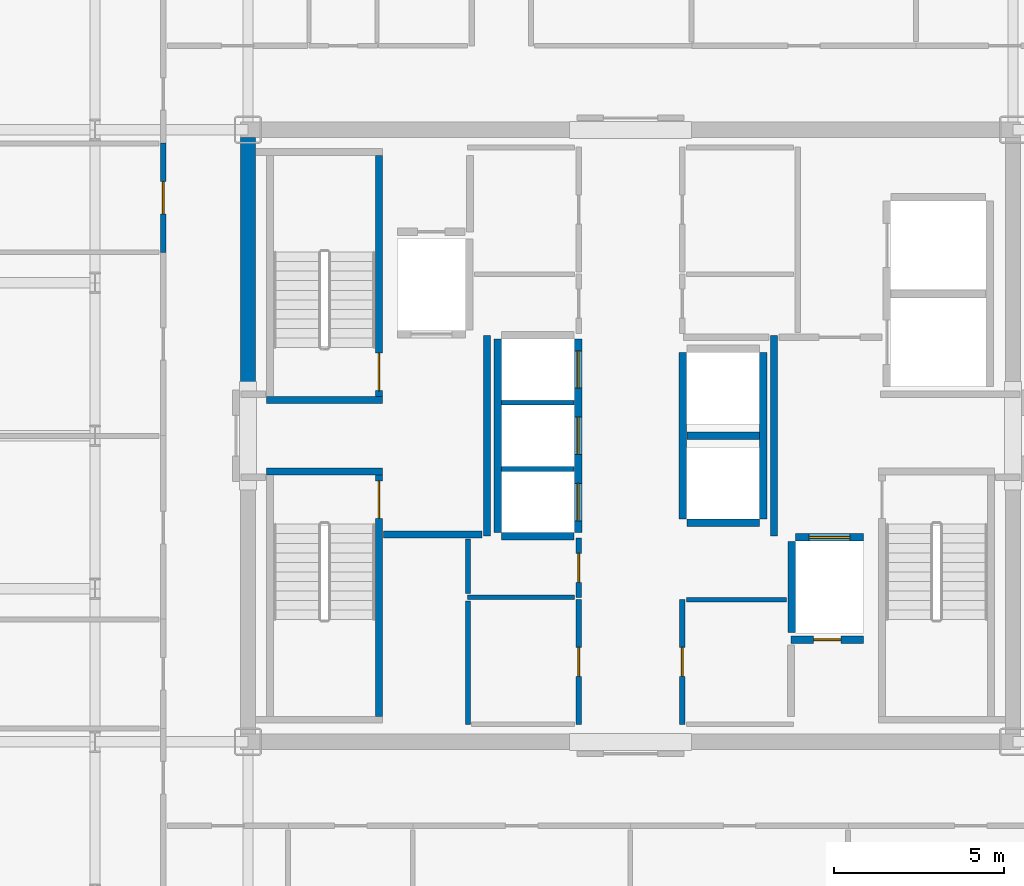
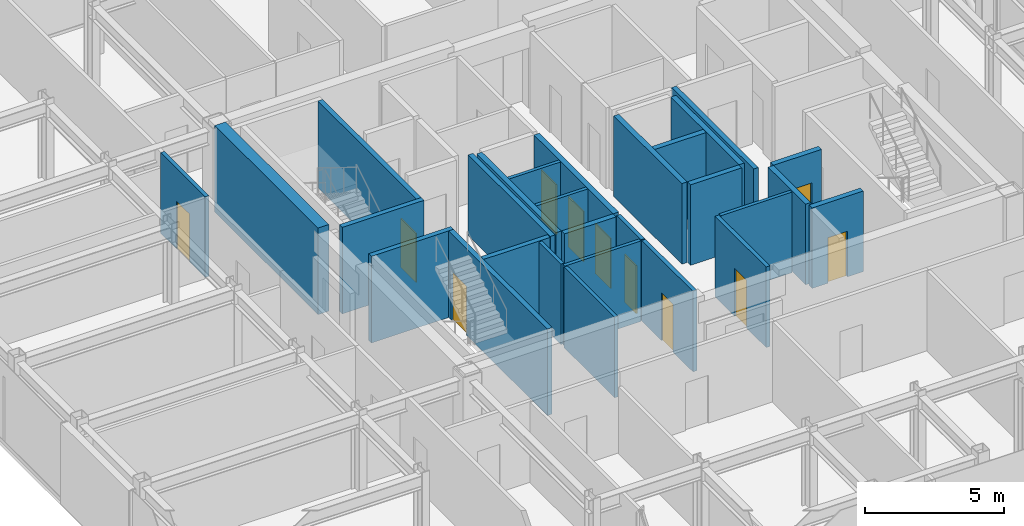
# One storey, part 12 of 18: 28 walls, 11 doors, 11 openings.
"""IFC4 building model written with IfcOpenShell, lengths in metres."""

from ifc_helpers import new_model, si_unit, direction, frame, frame_2d, origin, place, context, subcontext, project, spatial, rectangle, extrude, source, transform, mapped, material, layer, layer_set, type_object, element, fill, save


model = new_model("IFC4")

# Units and contexts
model_context = context("Model", 3, precision=1e-05, world=origin(), true_north=direction((0.0, 1.0)))
body_context = subcontext(model_context, "Body", "Model", "MODEL_VIEW")
ifc_project = project(units=[si_unit("LENGTHUNIT", "METRE"), si_unit("AREAUNIT", "SQUARE_METRE"), si_unit("VOLUMEUNIT", "CUBIC_METRE"), si_unit("PLANEANGLEUNIT", "RADIAN"), si_unit("MASSUNIT", "GRAM", prefix="KILO")], contexts=[model_context])

# Site, building, storey
site_placement = place(None, origin())
site = spatial("IfcSite", under=ifc_project, at=site_placement, CompositionType="ELEMENT")
building_placement = place(site_placement, origin())
building = spatial("IfcBuilding", under=site, at=building_placement, Name="Nefas-Gora Pilgrimage Tower", CompositionType="ELEMENT")
storey_placement = place(building_placement, frame((0.0, 0.0, 298.800048828125)))
storey = spatial("IfcBuildingStorey", under=building, at=storey_placement, Name="L75", CompositionType="ELEMENT", Elevation=298.800048828125)

# Walls
ifc_material_1 = material(Name="Concrete C50/60", Category="concrete")
ifc_layer_1 = layer(ifc_material_1, 0.449951171875)
ifc_layer_set_1 = layer_set([ifc_layer_1], Name="Concrete C50/60")
wall_type_1 = type_object("IfcWallType", Name="SW-CORE-450", PredefinedType="SHEAR", material=ifc_layer_set_1)
shared_shape_1 = source(origin(), body_context, "Body", "SweptSolid", [
    extrude(rectangle(XDim=7.4248046875, YDim=0.449951171875, at=frame_2d((3.71240234375, 0.0))), origin(), (0.0, 0.0, 1.0), 3.800048828125),
])
wall_1_placement = place(storey_placement, frame((-11.25, 1.35009765625, 0.0), z_axis=(0.0, 0.0, 1.0), x_axis=(0.0, 1.0, 0.0)))
element("IfcWall", 1, at=wall_1_placement, inside=storey, type_object=wall_type_1, Name="L75 Core Shear Wall W-North", PredefinedType="SHEAR", context=body_context, shape_type="MappedRepresentation", body=[
    mapped(shared_shape_1, transform((0.0, 0.0, 0.0), x_axis=(1.0, 0.0, 0.0), y_axis=(0.0, 1.0, 0.0), z_axis=(0.0, 0.0, 1.0), scale=1.0)),
])
ifc_material_2 = material(Name="Concrete C45/55", Category="concrete")
ifc_layer_2 = layer(ifc_material_2, 0.199951171875)
ifc_layer_set_2 = layer_set([ifc_layer_2], Name="Concrete C45/55")
wall_type_2 = type_object("IfcWallType", Name="IW-STAIR-200", PredefinedType="SOLIDWALL", material=ifc_layer_set_2)
shared_shape_2 = source(origin(), body_context, "Body", "SweptSolid", [
    extrude(rectangle(XDim=3.39990234375, YDim=0.199951171875, at=frame_2d((1.699951171875, 0.0))), origin(), (0.0, 0.0, 1.0), 3.800048828125),
])
for number, where, z_axis, x_axis, name in (
    (2, (-7.300048828125, 1.050048828125, 0.0), (0.0, 0.0, 1.0), (-1.0, 0.0, 0.0), "L75 Stairwell Shear Wall ST-01-near"),
    (3, (-10.699951171875, -1.050048828125, 0.0), (0.0, 0.0, 1.0), (1.0, 0.0, 0.0), "L75 Stairwell Shear Wall ST-03-near"),
):
    element("IfcWall", number, at=place(storey_placement, frame(where, z_axis=z_axis, x_axis=x_axis)), inside=storey, type_object=wall_type_2, Name=name, PredefinedType="SOLIDWALL", context=body_context, shape_type="MappedRepresentation", body=[
        mapped(shared_shape_2, transform((0.0, 0.0, 0.0), x_axis=(1.0, 0.0, 0.0), y_axis=(0.0, 1.0, 0.0), z_axis=(0.0, 0.0, 1.0), scale=1.0)),
    ])

# Wall, opening, door
shared_shape_3 = source(origin(), body_context, "Body", "SweptSolid", [
    extrude(rectangle(XDim=7.10009765625, YDim=0.199951171875, at=frame_2d((3.550048828125, 0.0))), origin(), (0.0, 0.0, 1.0), 3.800048828125),
])
wall_2_placement = place(storey_placement, frame((-7.39990234375, 1.14990234375, 0.0), z_axis=(0.0, 0.0, 1.0), x_axis=(0.0, 1.0, 0.0)))
wall_2 = element("IfcWall", 4, at=wall_2_placement, inside=storey, type_object=wall_type_2, Name="L75 Stairwell Shear Wall ST-01-left", PredefinedType="SOLIDWALL", context=body_context, shape_type="MappedRepresentation", body=[
    mapped(shared_shape_3, transform((0.0, 0.0, 0.0), x_axis=(1.0, 0.0, 0.0), y_axis=(0.0, 1.0, 0.0), z_axis=(0.0, 0.0, 1.0), scale=1.0)),
])
opening_1_placement = place(wall_2_placement, frame((0.179931640625, 0.0, 0.0)))
opening_1 = element("IfcOpeningElement", 5, at=opening_1_placement, cuts=wall_2, Name="Opening ID-ST1", PredefinedType="OPENING", context=body_context, shape_type="SweptSolid", body=[
    extrude(rectangle(XDim=1.10009765625, YDim=2.14990234375, at=frame_2d((0.550048828125, 1.074951171875))), frame((0.0, 0.10986328125, 0.0), z_axis=(0.0, -1.0, 0.0), x_axis=(1.0, 0.0, 0.0)), (0.0, 0.0, 1.0), 0.219970703125),
])
ifc_material_3 = material(Name="Painted galvanised steel fire stair door", Category="steel")
door_type_1 = type_object("IfcDoorType", Name="DR-INT-STAIR-1100", OperationType="NOTDEFINED", PredefinedType="DOOR", material=ifc_material_3)
shared_shape_4 = source(origin(), body_context, "Body", "SweptSolid", [
    extrude(rectangle(XDim=1.10009765625, YDim=2.14990234375, at=frame_2d((0.550048828125, 1.074951171875))), frame((0.0, 0.02490234375, 0.0), z_axis=(0.0, -1.0, 0.0), x_axis=(1.0, 0.0, 0.0)), (0.0, 0.0, 1.0), 0.050048828125),
])
door_1_placement = place(opening_1_placement, origin())
door_1 = element("IfcDoor", 6, at=door_1_placement, inside=storey, type_object=door_type_1, Name="L75 Protected Exit Stair Door ST-01", OperationType="SINGLE_SWING_LEFT", OverallHeight=2.14990234375, OverallWidth=1.10009765625, PredefinedType="DOOR", context=body_context, shape_type="MappedRepresentation", body=[
    mapped(shared_shape_4, transform((0.0, 0.0, 0.0), x_axis=(1.0, 0.0, 0.0), y_axis=(0.0, 1.0, 0.0), z_axis=(0.0, 0.0, 1.0), scale=1.0)),
])
fill(opening_1, door_1)

wall_3_placement = place(storey_placement, frame((-7.39990234375, -1.14990234375, 0.0), z_axis=(0.0, 0.0, 1.0), x_axis=(0.0, -1.0, 0.0)))
wall_3 = element("IfcWall", 7, at=wall_3_placement, inside=storey, type_object=wall_type_2, Name="L75 Stairwell Shear Wall ST-03-right", PredefinedType="SOLIDWALL", context=body_context, shape_type="MappedRepresentation", body=[
    mapped(shared_shape_3, transform((0.0, 0.0, 0.0), x_axis=(1.0, 0.0, 0.0), y_axis=(0.0, 1.0, 0.0), z_axis=(0.0, 0.0, 1.0), scale=1.0)),
])
opening_2_placement = place(wall_3_placement, frame((0.179931640625, 0.0, 0.0)))
opening_2 = element("IfcOpeningElement", 8, at=opening_2_placement, cuts=wall_3, Name="Opening ID-ST1", PredefinedType="OPENING", context=body_context, shape_type="SweptSolid", body=[
    extrude(rectangle(XDim=1.10009765625, YDim=2.14990234375, at=frame_2d((0.550048828125, 1.074951171875))), frame((0.0, 0.10986328125, 0.0), z_axis=(0.0, -1.0, 0.0), x_axis=(1.0, 0.0, 0.0)), (0.0, 0.0, 1.0), 0.219970703125),
])
door_2_placement = place(opening_2_placement, origin())
door_2 = element("IfcDoor", 9, at=door_2_placement, inside=storey, type_object=door_type_1, Name="L75 Protected Exit Stair Door ST-03", OperationType="SINGLE_SWING_LEFT", OverallHeight=2.14990234375, OverallWidth=1.10009765625, PredefinedType="DOOR", context=body_context, shape_type="MappedRepresentation", body=[
    mapped(shared_shape_4, transform((0.0, 0.0, 0.0), x_axis=(1.0, 0.0, 0.0), y_axis=(0.0, 1.0, 0.0), z_axis=(0.0, 0.0, 1.0), scale=1.0)),
])
fill(opening_2, door_2)

ifc_material_4 = material(Name="Concrete C40/50", Category="concrete")
ifc_layer_3 = layer(ifc_material_4, 0.219970703125)
ifc_layer_set_3 = layer_set([ifc_layer_3], Name="Concrete C40/50")
wall_type_3 = type_object("IfcWallType", Name="IW-SHAFT-220", PredefinedType="SOLIDWALL", material=ifc_layer_set_3)
shared_shape_5 = source(origin(), body_context, "Body", "SweptSolid", [
    extrude(rectangle(XDim=2.0, YDim=0.219970703125, at=frame_2d((1.0, 0.0))), origin(), (0.0, 0.0, 1.0), 3.534912109375),
])
wall_4_placement = place(storey_placement, frame((6.85009765625, -2.989990234375, 0.0), z_axis=(0.0, 0.0, 1.0), x_axis=(-1.0, 0.0, 0.0)))
wall_4 = element("IfcWall", 10, at=wall_4_placement, inside=storey, type_object=wall_type_3, Name="L75 Hoistway Wall FFL-02-N", PredefinedType="SOLIDWALL", context=body_context, shape_type="MappedRepresentation", body=[
    mapped(shared_shape_5, transform((0.0, 0.0, 0.0), x_axis=(1.0, 0.0, 0.0), y_axis=(0.0, 1.0, 0.0), z_axis=(0.0, 0.0, 1.0), scale=1.0)),
])
opening_3_placement = place(wall_4_placement, frame((0.39990234375, 0.0, 0.0)))
opening_3 = element("IfcOpeningElement", 11, at=opening_3_placement, cuts=wall_4, Name="Opening LD-FF", PredefinedType="OPENING", context=body_context, shape_type="SweptSolid", body=[
    extrude(rectangle(XDim=1.199951171875, YDim=2.199951171875, at=frame_2d((0.60009765625, 1.10009765625))), frame((0.0, 0.119873046875, 0.0), z_axis=(0.0, -1.0, 0.0), x_axis=(1.0, 0.0, 0.0)), (0.0, 0.0, 1.0), 0.239990234375),
])
ifc_material_5 = material(Name="Fire-service sliding lift landing door")
door_type_2 = type_object("IfcDoorType", Name="DR-LIFT-FSAE-1200", OperationType="SLIDING_TO_LEFT", PredefinedType="DOOR", material=ifc_material_5)
shared_shape_6 = source(origin(), body_context, "Body", "SweptSolid", [
    extrude(rectangle(XDim=1.199951171875, YDim=2.199951171875, at=frame_2d((0.60009765625, 1.10009765625))), frame((0.0, 0.02490234375, 0.0), z_axis=(0.0, -1.0, 0.0), x_axis=(1.0, 0.0, 0.0)), (0.0, 0.0, 1.0), 0.050048828125),
])
door_3_placement = place(opening_3_placement, origin())
door_3 = element("IfcDoor", 12, at=door_3_placement, inside=storey, type_object=door_type_2, Name="L75 Sliding Lift Landing Door FFL-02", OperationType="SLIDING_TO_LEFT", OverallHeight=2.199951171875, OverallWidth=1.199951171875, PredefinedType="DOOR", context=body_context, shape_type="MappedRepresentation", body=[
    mapped(shared_shape_6, transform((0.0, 0.0, 0.0), x_axis=(1.0, 0.0, 0.0), y_axis=(0.0, 1.0, 0.0), z_axis=(0.0, 0.0, 1.0), scale=1.0)),
])
fill(opening_3, door_3)

# Wall
shared_shape_7 = source(origin(), body_context, "Body", "SweptSolid", [
    extrude(rectangle(XDim=2.679931640625, YDim=0.219970703125, at=frame_2d((1.33984375, 0.0))), origin(), (0.0, 0.0, 1.0), 3.534912109375),
])
wall_5_placement = place(storey_placement, frame((4.739990234375, -3.110107421875, 0.0), z_axis=(0.0, 0.0, 1.0), x_axis=(0.0, -1.0, 0.0)))
element("IfcWall", 13, at=wall_5_placement, inside=storey, type_object=wall_type_3, Name="L75 Hoistway Wall FFL-02-W", PredefinedType="SOLIDWALL", context=body_context, shape_type="MappedRepresentation", body=[
    mapped(shared_shape_7, transform((0.0, 0.0, 0.0), x_axis=(1.0, 0.0, 0.0), y_axis=(0.0, 1.0, 0.0), z_axis=(0.0, 0.0, 1.0), scale=1.0)),
])

# Wall, openings, doors
shared_shape_8 = source(origin(), body_context, "Body", "SweptSolid", [
    extrude(rectangle(XDim=5.7001953125, YDim=0.219970703125, at=frame_2d((2.85009765625, 0.0))), origin(), (0.0, 0.0, 1.0), 3.534912109375),
])
wall_6_placement = place(storey_placement, frame((-1.5400390625, -2.85009765625, 0.0), z_axis=(0.0, 0.0, 1.0), x_axis=(0.0, 1.0, 0.0)))
wall_6 = element("IfcWall", 14, at=wall_6_placement, inside=storey, type_object=wall_type_3, Name="L75 Hoistway Wall PL3-01-03-E", PredefinedType="SOLIDWALL", context=body_context, shape_type="MappedRepresentation", body=[
    mapped(shared_shape_8, transform((0.0, 0.0, 0.0), x_axis=(1.0, 0.0, 0.0), y_axis=(0.0, 1.0, 0.0), z_axis=(0.0, 0.0, 1.0), scale=1.0)),
])
opening_4_placement = place(wall_6_placement, frame((0.35009765625, 0.0, 0.0)))
opening_4 = element("IfcOpeningElement", 15, at=opening_4_placement, cuts=wall_6, Name="Opening LD-01", PredefinedType="OPENING", context=body_context, shape_type="SweptSolid", body=[
    extrude(rectangle(XDim=1.10009765625, YDim=2.199951171875, at=frame_2d((0.550048828125, 1.10009765625))), frame((0.0, 0.119873046875, 0.0), z_axis=(0.0, -1.0, 0.0), x_axis=(1.0, 0.0, 0.0)), (0.0, 0.0, 1.0), 0.239990234375),
])
opening_5_placement = place(wall_6_placement, frame((2.300048828125, 0.0, 0.0)))
opening_5 = element("IfcOpeningElement", 16, at=opening_5_placement, cuts=wall_6, Name="Opening LD-01", PredefinedType="OPENING", context=body_context, shape_type="SweptSolid", body=[
    extrude(rectangle(XDim=1.10009765625, YDim=2.199951171875, at=frame_2d((0.550048828125, 1.10009765625))), frame((0.0, 0.119873046875, 0.0), z_axis=(0.0, -1.0, 0.0), x_axis=(1.0, 0.0, 0.0)), (0.0, 0.0, 1.0), 0.239990234375),
])
opening_6_placement = place(wall_6_placement, frame((4.25, 0.0, 0.0)))
opening_6 = element("IfcOpeningElement", 17, at=opening_6_placement, cuts=wall_6, Name="Opening LD-01", PredefinedType="OPENING", context=body_context, shape_type="SweptSolid", body=[
    extrude(rectangle(XDim=1.10009765625, YDim=2.199951171875, at=frame_2d((0.550048828125, 1.10009765625))), frame((0.0, 0.119873046875, 0.0), z_axis=(0.0, -1.0, 0.0), x_axis=(1.0, 0.0, 0.0)), (0.0, 0.0, 1.0), 0.239990234375),
])
ifc_material_6 = material(Name="Brushed stainless sliding lift landing door")
door_type_3 = type_object("IfcDoorType", Name="DR-LIFT-PASS-1100", OperationType="DOUBLE_DOOR_SLIDING", PredefinedType="DOOR", material=ifc_material_6)
shared_shape_9 = source(origin(), body_context, "Body", "SweptSolid", [
    extrude(rectangle(XDim=1.10009765625, YDim=2.199951171875, at=frame_2d((0.550048828125, 1.10009765625))), frame((0.0, 0.02490234375, 0.0), z_axis=(0.0, -1.0, 0.0), x_axis=(1.0, 0.0, 0.0)), (0.0, 0.0, 1.0), 0.050048828125),
])
door_4_placement = place(opening_4_placement, origin())
door_4 = element("IfcDoor", 18, at=door_4_placement, inside=storey, type_object=door_type_3, Name="L75 Sliding Lift Landing Door PL3-01", OperationType="DOUBLE_DOOR_SLIDING", OverallHeight=2.199951171875, OverallWidth=1.10009765625, PredefinedType="DOOR", context=body_context, shape_type="MappedRepresentation", body=[
    mapped(shared_shape_9, transform((0.0, 0.0, 0.0), x_axis=(1.0, 0.0, 0.0), y_axis=(0.0, 1.0, 0.0), z_axis=(0.0, 0.0, 1.0), scale=1.0)),
])
fill(opening_4, door_4)
door_5_placement = place(opening_5_placement, origin())
door_5 = element("IfcDoor", 19, at=door_5_placement, inside=storey, type_object=door_type_3, Name="L75 Sliding Lift Landing Door PL3-02", OperationType="DOUBLE_DOOR_SLIDING", OverallHeight=2.199951171875, OverallWidth=1.10009765625, PredefinedType="DOOR", context=body_context, shape_type="MappedRepresentation", body=[
    mapped(shared_shape_9, transform((0.0, 0.0, 0.0), x_axis=(1.0, 0.0, 0.0), y_axis=(0.0, 1.0, 0.0), z_axis=(0.0, 0.0, 1.0), scale=1.0)),
])
fill(opening_5, door_5)
door_6_placement = place(opening_6_placement, origin())
door_6 = element("IfcDoor", 20, at=door_6_placement, inside=storey, type_object=door_type_3, Name="L75 Sliding Lift Landing Door PL3-03", OperationType="DOUBLE_DOOR_SLIDING", OverallHeight=2.199951171875, OverallWidth=1.10009765625, PredefinedType="DOOR", context=body_context, shape_type="MappedRepresentation", body=[
    mapped(shared_shape_9, transform((0.0, 0.0, 0.0), x_axis=(1.0, 0.0, 0.0), y_axis=(0.0, 1.0, 0.0), z_axis=(0.0, 0.0, 1.0), scale=1.0)),
])
fill(opening_6, door_6)

# Walls
wall_7_placement = place(storey_placement, frame((-3.909912109375, 2.85009765625, 0.0), z_axis=(0.0, 0.0, 1.0), x_axis=(0.0, -1.0, 0.0)))
element("IfcWall", 21, at=wall_7_placement, inside=storey, type_object=wall_type_3, Name="L75 Hoistway Wall PL3-01-03-W", PredefinedType="SOLIDWALL", context=body_context, shape_type="MappedRepresentation", body=[
    mapped(shared_shape_8, transform((0.0, 0.0, 0.0), x_axis=(1.0, 0.0, 0.0), y_axis=(0.0, 1.0, 0.0), z_axis=(0.0, 0.0, 1.0), scale=1.0)),
])
shared_shape_10 = source(origin(), body_context, "Body", "SweptSolid", [
    extrude(rectangle(XDim=2.130126953125, YDim=0.219970703125, at=frame_2d((1.06494140625, 0.0))), origin(), (0.0, 0.0, 1.0), 3.534912109375),
])
for number, where, z_axis, x_axis, name in (
    (22, (-3.7900390625, -2.9599609375, 0.0), (0.0, 0.0, 1.0), (1.0, 0.0, 0.0), "L75 Hoistway Wall PL3-01-S"),
    (23, (1.659912109375, -2.56005859375, 0.0), (0.0, 0.0, 1.0), (1.0, 0.0, 0.0), "L75 Hoistway Wall OBS-01-S"),
    (24, (1.659912109375, 0.0, 0.0), (0.0, 0.0, 1.0), (1.0, 0.0, 0.0), "L75 Hoistway Wall OBS-01-02-DIV"),
):
    element("IfcWall", number, at=place(storey_placement, frame(where, z_axis=z_axis, x_axis=x_axis)), inside=storey, type_object=wall_type_3, Name=name, PredefinedType="SOLIDWALL", context=body_context, shape_type="MappedRepresentation", body=[
        mapped(shared_shape_10, transform((0.0, 0.0, 0.0), x_axis=(1.0, 0.0, 0.0), y_axis=(0.0, 1.0, 0.0), z_axis=(0.0, 0.0, 1.0), scale=1.0)),
    ])

# Wall, opening, door
wall_8_placement = place(storey_placement, frame((4.719970703125, -6.0, 0.0), z_axis=(0.0, 0.0, 1.0), x_axis=(1.0, 0.0, 0.0)))
wall_8 = element("IfcWall", 25, at=wall_8_placement, inside=storey, type_object=wall_type_3, Name="L75 Riser Shaft Wall 3", PredefinedType="SOLIDWALL", context=body_context, shape_type="MappedRepresentation", body=[
    mapped(shared_shape_10, transform((0.0, 0.0, 0.0), x_axis=(1.0, 0.0, 0.0), y_axis=(0.0, 1.0, 0.0), z_axis=(0.0, 0.0, 1.0), scale=1.0)),
])
opening_7_placement = place(wall_8_placement, frame((0.6650390625, 0.0, 0.0)))
opening_7 = element("IfcOpeningElement", 26, at=opening_7_placement, cuts=wall_8, Name="Opening ID-TR1", PredefinedType="OPENING", context=body_context, shape_type="SweptSolid", body=[
    extrude(rectangle(XDim=0.800048828125, YDim=2.0, at=frame_2d((0.39990234375, 1.0))), frame((0.0, 0.119873046875, 0.0), z_axis=(0.0, -1.0, 0.0), x_axis=(1.0, 0.0, 0.0)), (0.0, 0.0, 1.0), 0.239990234375),
])
ifc_material_7 = material(Name="Riser maintenance fire access door")
door_type_4 = type_object("IfcDoorType", Name="DR-INT-TRAP-800", OperationType="NOTDEFINED", PredefinedType="TRAPDOOR", material=ifc_material_7)
shared_shape_11 = source(origin(), body_context, "Body", "SweptSolid", [
    extrude(rectangle(XDim=0.800048828125, YDim=2.0, at=frame_2d((0.39990234375, 1.0))), frame((0.0, 0.02490234375, 0.0), z_axis=(0.0, -1.0, 0.0), x_axis=(1.0, 0.0, 0.0)), (0.0, 0.0, 1.0), 0.050048828125),
])
door_7_placement = place(opening_7_placement, origin())
door_7 = element("IfcDoor", 27, at=door_7_placement, inside=storey, type_object=door_type_4, Name="L75 Riser Shaft Door 2", OperationType="SINGLE_SWING_RIGHT", OverallHeight=2.0, OverallWidth=0.800048828125, PredefinedType="TRAPDOOR", context=body_context, shape_type="MappedRepresentation", body=[
    mapped(shared_shape_11, transform((0.0, 0.0, 0.0), x_axis=(1.0, 0.0, 0.0), y_axis=(0.0, 1.0, 0.0), z_axis=(0.0, 0.0, 1.0), scale=1.0)),
])
fill(opening_7, door_7)

# Walls
ifc_material_8 = material(Name="Gypsum twin-stud partition")
ifc_layer_4 = layer(ifc_material_8, 0.139892578125)
ifc_layer_set_4 = layer_set([ifc_layer_4], Name="Gypsum twin-stud partition")
wall_type_4 = type_object("IfcWallType", Name="IW-UNIT-140", PredefinedType="PARTITIONING", material=ifc_layer_set_4)
shared_shape_12 = source(origin(), body_context, "Body", "SweptSolid", [
    extrude(rectangle(XDim=2.130126953125, YDim=0.139892578125, at=frame_2d((1.06494140625, 0.0))), origin(), (0.0, 0.0, 1.0), 3.534912109375),
])
for number, where, z_axis, x_axis, name in (
    (28, (-3.7900390625, -0.97509765625, 0.0), (0.0, 0.0, 1.0), (1.0, 0.0, 0.0), "L75 Hoistway Wall PL3-01-02-DIV"),
    (29, (-3.7900390625, 0.97509765625, 0.0), (0.0, 0.0, 1.0), (1.0, 0.0, 0.0), "L75 Hoistway Wall PL3-02-03-DIV"),
):
    element("IfcWall", number, at=place(storey_placement, frame(where, z_axis=z_axis, x_axis=x_axis)), inside=storey, type_object=wall_type_4, Name=name, PredefinedType="PARTITIONING", context=body_context, shape_type="MappedRepresentation", body=[
        mapped(shared_shape_12, transform((0.0, 0.0, 0.0), x_axis=(1.0, 0.0, 0.0), y_axis=(0.0, 1.0, 0.0), z_axis=(0.0, 0.0, 1.0), scale=1.0)),
    ])
shared_shape_13 = source(origin(), body_context, "Body", "SweptSolid", [
    extrude(rectangle(XDim=4.89990234375, YDim=0.219970703125, at=frame_2d((2.449951171875, 0.0))), origin(), (0.0, 0.0, 1.0), 3.534912109375),
])
for number, where, z_axis, x_axis, name in (
    (30, (1.5400390625, 2.449951171875, 0.0), (0.0, 0.0, 1.0), (0.0, -1.0, 0.0), "L75 Hoistway Wall OBS-01-02-W"),
    (31, (3.909912109375, -2.449951171875, 0.0), (0.0, 0.0, 1.0), (0.0, 1.0, 0.0), "L75 Hoistway Wall OBS-01-02-E"),
):
    element("IfcWall", number, at=place(storey_placement, frame(where, z_axis=z_axis, x_axis=x_axis)), inside=storey, type_object=wall_type_3, Name=name, PredefinedType="SOLIDWALL", context=body_context, shape_type="MappedRepresentation", body=[
        mapped(shared_shape_13, transform((0.0, 0.0, 0.0), x_axis=(1.0, 0.0, 0.0), y_axis=(0.0, 1.0, 0.0), z_axis=(0.0, 0.0, 1.0), scale=1.0)),
    ])
ifc_material_9 = material(Name="Gypsum fire-rated shaftwall")
ifc_layer_5 = layer(ifc_material_9, 0.199951171875)
ifc_layer_set_5 = layer_set([ifc_layer_5], Name="Gypsum fire-rated shaftwall")
wall_type_5 = type_object("IfcWallType", Name="IW-FFLOB-200", PredefinedType="PARTITIONING", material=ifc_layer_set_5)
shared_shape_14 = source(origin(), body_context, "Body", "SweptSolid", [
    extrude(rectangle(XDim=5.89990234375, YDim=0.199951171875, at=frame_2d((2.949951171875, 0.0))), origin(), (0.0, 0.0, 1.0), 3.534912109375),
])
for number, where, z_axis, x_axis, name in (
    (32, (-4.219970703125, -2.949951171875, 0.0), (0.0, 0.0, 1.0), (0.0, 1.0, 0.0), "L75 FF Lobby West Inner Wall Wall 6"),
    (33, (4.219970703125, -2.949951171875, 0.0), (0.0, 0.0, 1.0), (0.0, 1.0, 0.0), "L75 FF Lobby East Inner Wall Wall 11"),
):
    element("IfcWall", number, at=place(storey_placement, frame(where, z_axis=z_axis, x_axis=x_axis)), inside=storey, type_object=wall_type_5, Name=name, PredefinedType="PARTITIONING", context=body_context, shape_type="MappedRepresentation", body=[
        mapped(shared_shape_14, transform((0.0, 0.0, 0.0), x_axis=(1.0, 0.0, 0.0), y_axis=(0.0, 1.0, 0.0), z_axis=(0.0, 0.0, 1.0), scale=1.0)),
    ])
shared_shape_15 = source(origin(), body_context, "Body", "SweptSolid", [
    extrude(rectangle(XDim=2.89990234375, YDim=0.199951171875, at=frame_2d((1.449951171875, 0.0))), origin(), (0.0, 0.0, 1.0), 3.534912109375),
])
wall_9_placement = place(storey_placement, frame((-7.260009765625, -2.89990234375, 0.0), z_axis=(0.0, 0.0, 1.0), x_axis=(1.0, 0.0, 0.0)))
element("IfcWall", 34, at=wall_9_placement, inside=storey, type_object=wall_type_5, Name="L75 FF Lobby West South Wall Wall 7", PredefinedType="PARTITIONING", context=body_context, shape_type="MappedRepresentation", body=[
    mapped(shared_shape_15, transform((0.0, 0.0, 0.0), x_axis=(1.0, 0.0, 0.0), y_axis=(0.0, 1.0, 0.0), z_axis=(0.0, 0.0, 1.0), scale=1.0)),
])
shared_shape_16 = source(origin(), body_context, "Body", "SweptSolid", [
    extrude(rectangle(XDim=2.9501953125, YDim=0.139892578125, at=frame_2d((1.47509765625, 0.0))), origin(), (0.0, 0.0, 1.0), 3.534912109375),
])
wall_10_placement = place(storey_placement, frame((1.639892578125, -4.820068359375, 0.0), z_axis=(0.0, 0.0, 1.0), x_axis=(1.0, 0.0, 0.0)))
element("IfcWall", 35, at=wall_10_placement, inside=storey, type_object=wall_type_4, Name="L75 High-Rise Tableware Store Partition Wall 34", PredefinedType="PARTITIONING", context=body_context, shape_type="MappedRepresentation", body=[
    mapped(shared_shape_16, transform((0.0, 0.0, 0.0), x_axis=(1.0, 0.0, 0.0), y_axis=(0.0, 1.0, 0.0), z_axis=(0.0, 0.0, 1.0), scale=1.0)),
])
shared_shape_17 = source(origin(), body_context, "Body", "SweptSolid", [
    extrude(rectangle(XDim=3.150146484375, YDim=0.139892578125, at=frame_2d((1.5751953125, 0.0))), origin(), (0.0, 0.0, 1.0), 3.534912109375),
])
wall_11_placement = place(storey_placement, frame((-4.7900390625, -4.75, 0.0), z_axis=(0.0, 0.0, 1.0), x_axis=(1.0, 0.0, 0.0)))
element("IfcWall", 36, at=wall_11_placement, inside=storey, type_object=wall_type_4, Name="L75 Guest Self-Service Laundry Room Partition Wall 28", PredefinedType="PARTITIONING", context=body_context, shape_type="MappedRepresentation", body=[
    mapped(shared_shape_17, transform((0.0, 0.0, 0.0), x_axis=(1.0, 0.0, 0.0), y_axis=(0.0, 1.0, 0.0), z_axis=(0.0, 0.0, 1.0), scale=1.0)),
])

# Wall, opening, door
ifc_material_10 = material(Name="Gypsum acoustic stud partition")
ifc_layer_6 = layer(ifc_material_10, 0.159912109375)
ifc_layer_set_6 = layer_set([ifc_layer_6], Name="Gypsum acoustic stud partition")
wall_type_6 = type_object("IfcWallType", Name="IW-CORR-160", PredefinedType="PARTITIONING", material=ifc_layer_set_6)
shared_shape_18 = source(origin(), body_context, "Body", "SweptSolid", [
    extrude(rectangle(XDim=3.2099609375, YDim=0.159912109375, at=frame_2d((1.60498046875, 0.0))), origin(), (0.0, 0.0, 1.0), 3.534912109375),
])
wall_12_placement = place(storey_placement, frame((-13.739990234375, 5.39501953125, 0.0), z_axis=(0.0, 0.0, 1.0), x_axis=(0.0, 1.0, 0.0)))
wall_12 = element("IfcWall", 37, at=wall_12_placement, inside=storey, type_object=wall_type_6, Name="L75 Scripture Reading Study Partition Wall 47", PredefinedType="PARTITIONING", context=body_context, shape_type="MappedRepresentation", body=[
    mapped(shared_shape_18, transform((0.0, 0.0, 0.0), x_axis=(1.0, 0.0, 0.0), y_axis=(0.0, 1.0, 0.0), z_axis=(0.0, 0.0, 1.0), scale=1.0)),
])
opening_8_placement = place(wall_12_placement, frame((1.1298828125, 0.0, 0.0)))
opening_8 = element("IfcOpeningElement", 38, at=opening_8_placement, cuts=wall_12, Name="Opening ID-GR1", PredefinedType="OPENING", context=body_context, shape_type="SweptSolid", body=[
    extrude(rectangle(XDim=0.949951171875, YDim=2.10009765625, at=frame_2d((0.47509765625, 1.050048828125))), frame((0.0, 0.08984375, 0.0), z_axis=(0.0, -1.0, 0.0), x_axis=(1.0, 0.0, 0.0)), (0.0, 0.0, 1.0), 0.179931640625),
])
ifc_material_11 = material(Name="Solid core oak fire-rated guest entrance door")
door_type_5 = type_object("IfcDoorType", Name="DR-INT-GUEST-950", OperationType="NOTDEFINED", PredefinedType="DOOR", material=ifc_material_11)
shared_shape_19 = source(origin(), body_context, "Body", "SweptSolid", [
    extrude(rectangle(XDim=0.949951171875, YDim=2.10009765625, at=frame_2d((0.47509765625, 1.050048828125))), frame((0.0, 0.02490234375, 0.0), z_axis=(0.0, -1.0, 0.0), x_axis=(1.0, 0.0, 0.0)), (0.0, 0.0, 1.0), 0.050048828125),
])
door_8_placement = place(opening_8_placement, origin())
door_8 = element("IfcDoor", 39, at=door_8_placement, inside=storey, type_object=door_type_5, Name="L75 Scripture Reading Study Door 20", OperationType="SINGLE_SWING_RIGHT", OverallHeight=2.10009765625, OverallWidth=0.949951171875, PredefinedType="DOOR", context=body_context, shape_type="MappedRepresentation", body=[
    mapped(shared_shape_19, transform((0.0, 0.0, 0.0), x_axis=(1.0, 0.0, 0.0), y_axis=(0.0, 1.0, 0.0), z_axis=(0.0, 0.0, 1.0), scale=1.0)),
])
fill(opening_8, door_8)

shared_shape_20 = source(origin(), body_context, "Body", "SweptSolid", [
    extrude(rectangle(XDim=1.75, YDim=0.159912109375, at=frame_2d((0.875, 0.0))), origin(), (0.0, 0.0, 1.0), 3.534912109375),
])
wall_13_placement = place(storey_placement, frame((-1.52001953125, -4.760009765625, 0.0), z_axis=(0.0, 0.0, 1.0), x_axis=(0.0, 1.0, 0.0)))
wall_13 = element("IfcWall", 40, at=wall_13_placement, inside=storey, type_object=wall_type_6, Name="L75 Guest Self-Service Laundry Room Wall 27", PredefinedType="PARTITIONING", context=body_context, shape_type="MappedRepresentation", body=[
    mapped(shared_shape_20, transform((0.0, 0.0, 0.0), x_axis=(1.0, 0.0, 0.0), y_axis=(0.0, 1.0, 0.0), z_axis=(0.0, 0.0, 1.0), scale=1.0)),
])
opening_9_placement = place(wall_13_placement, frame((0.449951171875, 0.0, 0.0)))
opening_9 = element("IfcOpeningElement", 41, at=opening_9_placement, cuts=wall_13, Name="Opening ID-BT1", PredefinedType="OPENING", context=body_context, shape_type="SweptSolid", body=[
    extrude(rectangle(XDim=0.85009765625, YDim=2.10009765625, at=frame_2d((0.425048828125, 1.050048828125))), frame((0.0, 0.08984375, 0.0), z_axis=(0.0, -1.0, 0.0), x_axis=(1.0, 0.0, 0.0)), (0.0, 0.0, 1.0), 0.179931640625),
])
ifc_material_12 = material(Name="Moisture-resistant fire-rated timber door", Category="wood")
door_type_6 = type_object("IfcDoorType", Name="DR-INT-BATH-850", OperationType="NOTDEFINED", PredefinedType="DOOR", material=ifc_material_12)
shared_shape_21 = source(origin(), body_context, "Body", "SweptSolid", [
    extrude(rectangle(XDim=0.85009765625, YDim=2.10009765625, at=frame_2d((0.425048828125, 1.050048828125))), frame((0.0, 0.02490234375, 0.0), z_axis=(0.0, -1.0, 0.0), x_axis=(1.0, 0.0, 0.0)), (0.0, 0.0, 1.0), 0.050048828125),
])
door_9_placement = place(opening_9_placement, origin())
door_9 = element("IfcDoor", 42, at=door_9_placement, inside=storey, type_object=door_type_6, Name="L75 Guest Self-Service Laundry Room Door 12", OperationType="SINGLE_SWING_RIGHT", OverallHeight=2.10009765625, OverallWidth=0.85009765625, PredefinedType="DOOR", context=body_context, shape_type="MappedRepresentation", body=[
    mapped(shared_shape_21, transform((0.0, 0.0, 0.0), x_axis=(1.0, 0.0, 0.0), y_axis=(0.0, 1.0, 0.0), z_axis=(0.0, 0.0, 1.0), scale=1.0)),
])
fill(opening_9, door_9)

shared_shape_22 = source(origin(), body_context, "Body", "SweptSolid", [
    extrude(rectangle(XDim=3.679931640625, YDim=0.159912109375, at=frame_2d((1.83984375, 0.0))), origin(), (0.0, 0.0, 1.0), 3.534912109375),
])
wall_14_placement = place(storey_placement, frame((-1.52001953125, -8.489990234375, 0.0), z_axis=(0.0, 0.0, 1.0), x_axis=(0.0, 1.0, 0.0)))
wall_14 = element("IfcWall", 43, at=wall_14_placement, inside=storey, type_object=wall_type_6, Name="L75 High-Rise Linen Store Wall 30", PredefinedType="PARTITIONING", context=body_context, shape_type="MappedRepresentation", body=[
    mapped(shared_shape_22, transform((0.0, 0.0, 0.0), x_axis=(1.0, 0.0, 0.0), y_axis=(0.0, 1.0, 0.0), z_axis=(0.0, 0.0, 1.0), scale=1.0)),
])
opening_10_placement = place(wall_14_placement, frame((1.4150390625, 0.0, 0.0)))
opening_10 = element("IfcOpeningElement", 44, at=opening_10_placement, cuts=wall_14, Name="Opening ID-BT1", PredefinedType="OPENING", context=body_context, shape_type="SweptSolid", body=[
    extrude(rectangle(XDim=0.85009765625, YDim=2.10009765625, at=frame_2d((0.425048828125, 1.050048828125))), frame((0.0, 0.08984375, 0.0), z_axis=(0.0, -1.0, 0.0), x_axis=(1.0, 0.0, 0.0)), (0.0, 0.0, 1.0), 0.179931640625),
])
door_10_placement = place(opening_10_placement, origin())
door_10 = element("IfcDoor", 45, at=door_10_placement, inside=storey, type_object=door_type_6, Name="L75 High-Rise Linen Store Door 13", OperationType="SINGLE_SWING_LEFT", OverallHeight=2.10009765625, OverallWidth=0.85009765625, PredefinedType="DOOR", context=body_context, shape_type="MappedRepresentation", body=[
    mapped(shared_shape_21, transform((0.0, 0.0, 0.0), x_axis=(1.0, 0.0, 0.0), y_axis=(0.0, 1.0, 0.0), z_axis=(0.0, 0.0, 1.0), scale=1.0)),
])
fill(opening_10, door_10)

wall_15_placement = place(storey_placement, frame((1.52001953125, -8.489990234375, 0.0), z_axis=(0.0, 0.0, 1.0), x_axis=(0.0, 1.0, 0.0)))
wall_15 = element("IfcWall", 46, at=wall_15_placement, inside=storey, type_object=wall_type_6, Name="L75 High-Rise Tableware Store Wall 33", PredefinedType="PARTITIONING", context=body_context, shape_type="MappedRepresentation", body=[
    mapped(shared_shape_22, transform((0.0, 0.0, 0.0), x_axis=(1.0, 0.0, 0.0), y_axis=(0.0, 1.0, 0.0), z_axis=(0.0, 0.0, 1.0), scale=1.0)),
])
opening_11_placement = place(wall_15_placement, frame((1.4150390625, 0.0, 0.0)))
opening_11 = element("IfcOpeningElement", 47, at=opening_11_placement, cuts=wall_15, Name="Opening ID-BT1", PredefinedType="OPENING", context=body_context, shape_type="SweptSolid", body=[
    extrude(rectangle(XDim=0.85009765625, YDim=2.10009765625, at=frame_2d((0.425048828125, 1.050048828125))), frame((0.0, 0.08984375, 0.0), z_axis=(0.0, -1.0, 0.0), x_axis=(1.0, 0.0, 0.0)), (0.0, 0.0, 1.0), 0.179931640625),
])
door_11_placement = place(opening_11_placement, origin())
door_11 = element("IfcDoor", 48, at=door_11_placement, inside=storey, type_object=door_type_6, Name="L75 High-Rise Tableware Store Door 14", OperationType="SINGLE_SWING_RIGHT", OverallHeight=2.10009765625, OverallWidth=0.85009765625, PredefinedType="DOOR", context=body_context, shape_type="MappedRepresentation", body=[
    mapped(shared_shape_21, transform((0.0, 0.0, 0.0), x_axis=(1.0, 0.0, 0.0), y_axis=(0.0, 1.0, 0.0), z_axis=(0.0, 0.0, 1.0), scale=1.0)),
])
fill(opening_11, door_11)

# Walls
shared_shape_23 = source(origin(), body_context, "Body", "SweptSolid", [
    extrude(rectangle(XDim=1.599853515625, YDim=0.139892578125, at=frame_2d((0.7998046875, 0.0))), origin(), (0.0, 0.0, 1.0), 3.534912109375),
])
wall_16_placement = place(storey_placement, frame((-4.780029296875, -4.639892578125, 0.0), z_axis=(0.0, 0.0, 1.0), x_axis=(0.0, 1.0, 0.0)))
element("IfcWall", 49, at=wall_16_placement, inside=storey, type_object=wall_type_4, Name="L75 Guest Self-Service Laundry Room Partition Wall 29", PredefinedType="PARTITIONING", context=body_context, shape_type="MappedRepresentation", body=[
    mapped(shared_shape_23, transform((0.0, 0.0, 0.0), x_axis=(1.0, 0.0, 0.0), y_axis=(0.0, 1.0, 0.0), z_axis=(0.0, 0.0, 1.0), scale=1.0)),
])
shared_shape_24 = source(origin(), body_context, "Body", "SweptSolid", [
    extrude(rectangle(XDim=3.6298828125, YDim=0.139892578125, at=frame_2d((1.81494140625, 0.0))), origin(), (0.0, 0.0, 1.0), 3.534912109375),
])
wall_17_placement = place(storey_placement, frame((-4.780029296875, -8.489990234375, 0.0), z_axis=(0.0, 0.0, 1.0), x_axis=(0.0, 1.0, 0.0)))
element("IfcWall", 50, at=wall_17_placement, inside=storey, type_object=wall_type_4, Name="L75 High-Rise Linen Store Partition Wall 31", PredefinedType="PARTITIONING", context=body_context, shape_type="MappedRepresentation", body=[
    mapped(shared_shape_24, transform((0.0, 0.0, 0.0), x_axis=(1.0, 0.0, 0.0), y_axis=(0.0, 1.0, 0.0), z_axis=(0.0, 0.0, 1.0), scale=1.0)),
])

save(model, "model.ifc")
